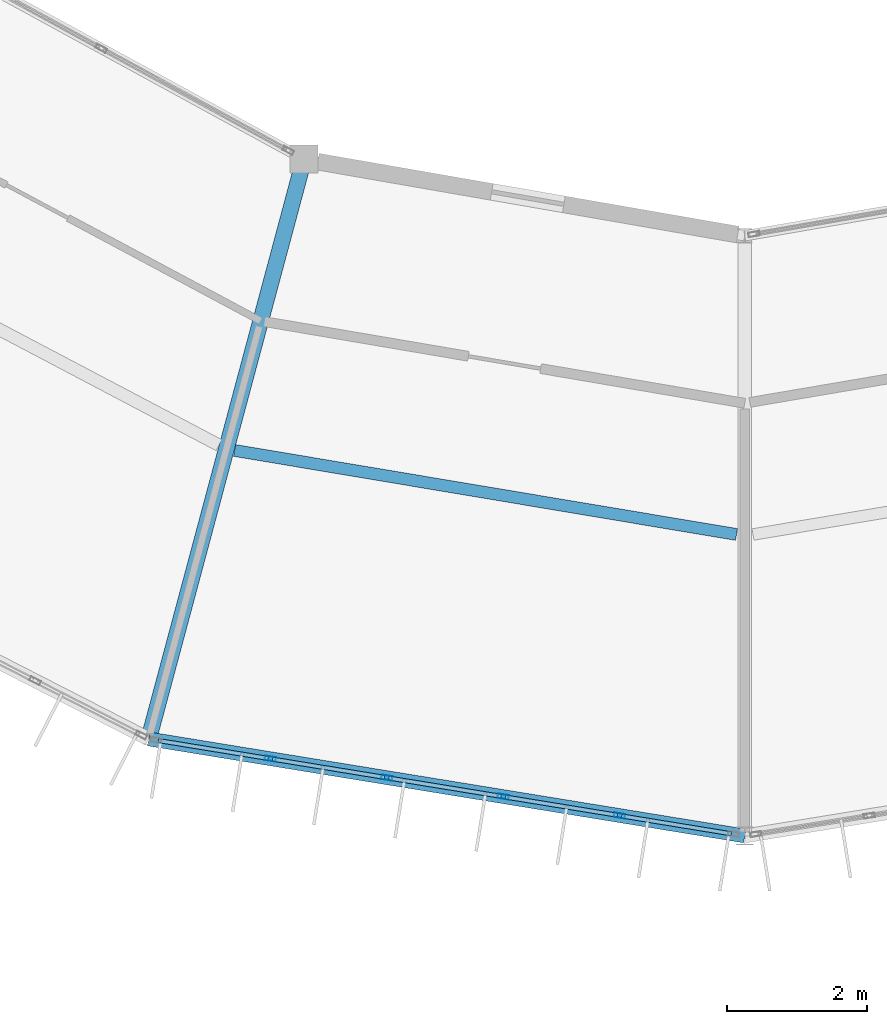
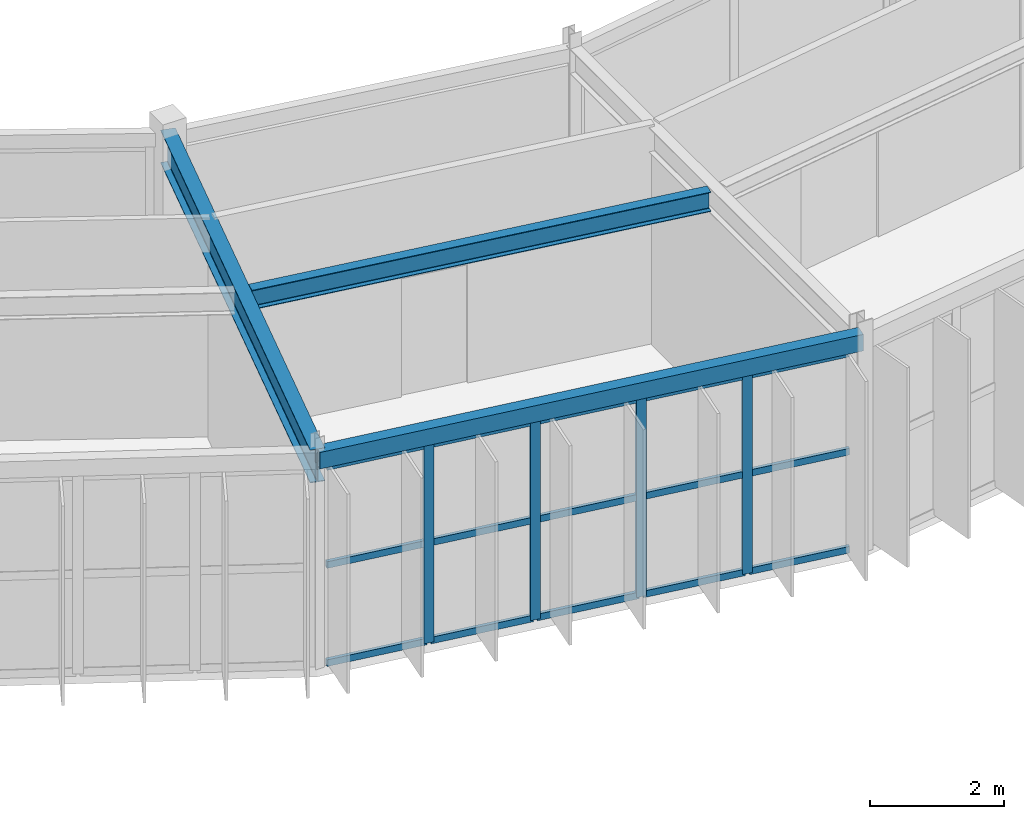
# One storey, part 22 of 134: 19 members, 3 beams, 1 element without a shape of its own.
"""IFC4 building model written with IfcOpenShell, lengths in metres."""

from ifc_helpers import new_model, si_unit, direction, frame, origin, origin_2d, place, context, subcontext, project, spatial, hollow_rectangle, i_section, extrude, material, material_profile, profile_set, type_object, element, aggregate, save


model = new_model("IFC4")

# Units and contexts
model_context = context("Model", 3, precision=1e-05, world=origin(), true_north=direction((0.0, 1.0)))
body_context = subcontext(model_context, "Body", "Model", "MODEL_VIEW")
ifc_project = project(units=[si_unit("LENGTHUNIT", "METRE"), si_unit("AREAUNIT", "SQUARE_METRE"), si_unit("VOLUMEUNIT", "CUBIC_METRE"), si_unit("PLANEANGLEUNIT", "RADIAN"), si_unit("MASSUNIT", "GRAM", prefix="KILO")], contexts=[model_context])

# Site, building, storey
site_placement = place(None, origin())
site = spatial("IfcSite", under=ifc_project, at=site_placement, CompositionType="ELEMENT")
building_placement = place(site_placement, origin())
building = spatial("IfcBuilding", under=site, at=building_placement, Name="Karori Crest Natural Sciences Institute", CompositionType="ELEMENT")
storey_placement = place(building_placement, frame((0.0, 0.0, 21.699951171875)))
storey = spatial("IfcBuildingStorey", under=building, at=storey_placement, Name="L05", CompositionType="ELEMENT", Elevation=21.699951171875)

# Beams
ifc_material_1 = material(Name="Hollow structural steel AS/NZS 1163 Grade C350", Category="steel")
ifc_material_profile_1 = material_profile(ifc_material_1, hollow_rectangle(XDim=0.199951171875, YDim=0.300048828125, WallThickness=0.010009765625, at=origin_2d()), Name="RHS300x200x10")
ifc_profile_set_1 = profile_set([ifc_material_profile_1], Name="Hollow structural steel AS/NZS 1163 Grade C350")
beam_type_1 = type_object("IfcBeamType", Name="BT-15", PredefinedType="SPANDREL", material=ifc_profile_set_1)
beam_1_placement = place(storey_placement, frame((57.85888671875, 10.490234375, 3.7900390625), z_axis=(0.987012055933, -0.160646199591, 0.0), x_axis=(0.160646199591, 0.987012055933, 0.0)))
element("IfcBeam", 1, at=beam_1_placement, inside=storey, type_object=beam_type_1, Name="Beam B-0592", PredefinedType="SPANDREL", context=body_context, shape_type="SweptSolid", body=[
    extrude(hollow_rectangle(XDim=0.199951171875, YDim=0.300048828125, WallThickness=0.010009765625, at=origin_2d()), origin(), (0.0, 0.0, 1.0), 8.6533203125),
])
ifc_material_2 = material(Name="Structural steel AS/NZS 3679.1 Grade 350", Category="steel")
ifc_material_profile_2 = material_profile(ifc_material_2, i_section(OverallWidth=0.22802734375, OverallDepth=0.60205078125, WebThickness=0.010498046875, FlangeThickness=0.014892578125, FilletRadius=0.013916015625, at=origin_2d()), Name="610UB101")
ifc_profile_set_2 = profile_set([ifc_material_profile_2], Name="Structural steel AS/NZS 3679.1 Grade 350")
beam_type_2 = type_object("IfcBeamType", Name="BT-27", PredefinedType="BEAM", material=ifc_profile_set_2)
beam_2_placement = place(storey_placement, frame((60.084716796875, 18.797119140625, 3.63916015625), z_axis=(-0.258819806009, -0.965925622404, 0.0), x_axis=(0.965925622404, -0.258819806009, 0.0)))
element("IfcBeam", 2, at=beam_2_placement, inside=storey, type_object=beam_type_2, Name="Beam B-0594", PredefinedType="BEAM", context=body_context, shape_type="SweptSolid", body=[
    extrude(i_section(OverallWidth=0.22802734375, OverallDepth=0.60205078125, WebThickness=0.010498046875, FlangeThickness=0.014892578125, FilletRadius=0.013916015625, at=origin_2d()), origin(), (0.0, 0.0, 1.0), 8.599853515625),
])
ifc_material_profile_3 = material_profile(ifc_material_2, i_section(OverallWidth=0.1708984375, OverallDepth=0.35595703125, WebThickness=0.00732421875, FlangeThickness=0.011474609375, FilletRadius=0.010986328125, at=origin_2d()), Name="360UB50.7")
ifc_profile_set_3 = profile_set([ifc_material_profile_3], Name="Structural steel AS/NZS 3679.1 Grade 350")
beam_type_3 = type_object("IfcBeamType", Name="BT-30", PredefinedType="BEAM", material=ifc_profile_set_3)
beam_3_placement = place(storey_placement, frame((59.09033203125, 14.623779296875, 3.761962890625), z_axis=(0.986275115433, -0.165110256126, 0.0), x_axis=(0.165110256126, 0.986275115433, 0.0)))
element("IfcBeam", 3, at=beam_3_placement, inside=storey, type_object=beam_type_3, Name="Beam B-0595", PredefinedType="BEAM", context=body_context, shape_type="SweptSolid", body=[
    extrude(i_section(OverallWidth=0.1708984375, OverallDepth=0.35595703125, WebThickness=0.00732421875, FlangeThickness=0.011474609375, FilletRadius=0.010986328125, at=origin_2d()), origin(), (0.0, 0.0, 1.0), 7.291259765625),
])

# Curtain wall, members
ifc_material_3 = material(Name="Anodised architectural aluminium 6063-T6", Category="aluminium")
curtain_wall_type = type_object("IfcCurtainWallType", Name="CWT-08", PredefinedType="NOTDEFINED", material=ifc_material_3)
curtain_wall_placement = place(storey_placement, origin())
curtain_wall = element("IfcCurtainWall", 4, at=curtain_wall_placement, inside=storey, type_object=curtain_wall_type, Name="Curtain wall CW-0198", PredefinedType="NOTDEFINED")
ifc_material_profile_4 = material_profile(ifc_material_3, hollow_rectangle(XDim=0.06494140625, YDim=0.159912109375, WallThickness=0.00390625, at=origin_2d()), Name="CWM160x65x4")
ifc_profile_set_4 = profile_set([ifc_material_profile_4], Name="Anodised architectural aluminium 6063-T6")
member_type_1 = type_object("IfcMemberType", Name="CWM-01", PredefinedType="MULLION", material=ifc_profile_set_4)
member_1_placement = place(storey_placement, frame((64.60595703125, 9.39208984375, 0.0), z_axis=(0.0, 0.0, 1.0), x_axis=(-0.160655493101, -0.987010543275, 0.0)))
member_1 = element("IfcMember", 5, at=member_1_placement, type_object=member_type_1, Name="CW-0198 mullion 2", PredefinedType="MULLION", context=body_context, shape_type="SweptSolid", body=[
    extrude(hollow_rectangle(XDim=0.06494140625, YDim=0.159912109375, WallThickness=0.00390625, at=origin_2d()), origin(), (0.0, 0.0, 1.0), 3.625),
])
member_2_placement = place(storey_placement, frame((62.93798828125, 9.66357421875, 0.0), z_axis=(0.0, 0.0, 1.0), x_axis=(-0.160655493101, -0.987010543275, 0.0)))
member_2 = element("IfcMember", 6, at=member_2_placement, type_object=member_type_1, Name="CW-0198 mullion 3", PredefinedType="MULLION", context=body_context, shape_type="SweptSolid", body=[
    extrude(hollow_rectangle(XDim=0.06494140625, YDim=0.159912109375, WallThickness=0.00390625, at=origin_2d()), origin(), (0.0, 0.0, 1.0), 3.625),
])
member_3_placement = place(storey_placement, frame((61.27001953125, 9.93505859375, 0.0), z_axis=(0.0, 0.0, 1.0), x_axis=(-0.160655493101, -0.987010543275, 0.0)))
member_3 = element("IfcMember", 7, at=member_3_placement, type_object=member_type_1, Name="CW-0198 mullion 4", PredefinedType="MULLION", context=body_context, shape_type="SweptSolid", body=[
    extrude(hollow_rectangle(XDim=0.06494140625, YDim=0.159912109375, WallThickness=0.00390625, at=origin_2d()), origin(), (0.0, 0.0, 1.0), 3.625),
])
member_4_placement = place(storey_placement, frame((59.60205078125, 10.20654296875, 0.0), z_axis=(0.0, 0.0, 1.0), x_axis=(-0.160655493101, -0.987010543275, 0.0)))
member_4 = element("IfcMember", 8, at=member_4_placement, type_object=member_type_1, Name="CW-0198 mullion 5", PredefinedType="MULLION", context=body_context, shape_type="SweptSolid", body=[
    extrude(hollow_rectangle(XDim=0.06494140625, YDim=0.159912109375, WallThickness=0.00390625, at=origin_2d()), origin(), (0.0, 0.0, 1.0), 3.625),
])
ifc_material_profile_5 = material_profile(ifc_material_3, hollow_rectangle(XDim=0.06005859375, YDim=0.1201171875, WallThickness=0.00390625, at=origin_2d()), Name="CWT120x60x4")
ifc_profile_set_5 = profile_set([ifc_material_profile_5], Name="Anodised architectural aluminium 6063-T6")
member_type_2 = type_object("IfcMemberType", Name="CWT-TR1", PredefinedType="USERDEFINED", material=ifc_profile_set_5)
member_5_placement = place(storey_placement, frame((66.2099609375, 9.130859375, 0.030029296875), z_axis=(-0.987008400747, 0.16066865548, 0.0), x_axis=(-0.16066865548, -0.987008400747, 0.0)))
member_5 = element("IfcMember", 9, at=member_5_placement, type_object=member_type_2, Name="CW-0198 transom 1.1", ObjectType="TRANSOM", PredefinedType="USERDEFINED", context=body_context, shape_type="SweptSolid", body=[
    extrude(hollow_rectangle(XDim=0.06005859375, YDim=0.1201171875, WallThickness=0.00390625, at=origin_2d()), origin(), (0.0, 0.0, 1.0), 1.592529296875),
])
member_6_placement = place(storey_placement, frame((66.2099609375, 9.130859375, 1.8125), z_axis=(-0.987008400747, 0.16066865548, 0.0), x_axis=(-0.16066865548, -0.987008400747, 0.0)))
member_6 = element("IfcMember", 10, at=member_6_placement, type_object=member_type_2, Name="CW-0198 transom 1.2", ObjectType="TRANSOM", PredefinedType="USERDEFINED", context=body_context, shape_type="SweptSolid", body=[
    extrude(hollow_rectangle(XDim=0.06005859375, YDim=0.1201171875, WallThickness=0.00390625, at=origin_2d()), origin(), (0.0, 0.0, 1.0), 1.592529296875),
])
member_7_placement = place(storey_placement, frame((66.2099609375, 9.130859375, 3.594970703125), z_axis=(-0.987008400747, 0.16066865548, 0.0), x_axis=(-0.16066865548, -0.987008400747, 0.0)))
member_7 = element("IfcMember", 11, at=member_7_placement, type_object=member_type_2, Name="CW-0198 transom 1.3", ObjectType="TRANSOM", PredefinedType="USERDEFINED", context=body_context, shape_type="SweptSolid", body=[
    extrude(hollow_rectangle(XDim=0.06005859375, YDim=0.1201171875, WallThickness=0.00390625, at=origin_2d()), origin(), (0.0, 0.0, 1.0), 1.592529296875),
])
member_8_placement = place(storey_placement, frame((64.573974609375, 9.397216796875, 0.030029296875), z_axis=(-0.987020010371, 0.1605973198, 0.0), x_axis=(-0.1605973198, -0.987020010371, 0.0)))
member_8 = element("IfcMember", 12, at=member_8_placement, type_object=member_type_2, Name="CW-0198 transom 2.1", ObjectType="TRANSOM", PredefinedType="USERDEFINED", context=body_context, shape_type="SweptSolid", body=[
    extrude(hollow_rectangle(XDim=0.06005859375, YDim=0.1201171875, WallThickness=0.00390625, at=origin_2d()), origin(), (0.0, 0.0, 1.0), 1.625),
])
member_9_placement = place(storey_placement, frame((64.573974609375, 9.397216796875, 1.8125), z_axis=(-0.987020010371, 0.1605973198, 0.0), x_axis=(-0.1605973198, -0.987020010371, 0.0)))
member_9 = element("IfcMember", 13, at=member_9_placement, type_object=member_type_2, Name="CW-0198 transom 2.2", ObjectType="TRANSOM", PredefinedType="USERDEFINED", context=body_context, shape_type="SweptSolid", body=[
    extrude(hollow_rectangle(XDim=0.06005859375, YDim=0.1201171875, WallThickness=0.00390625, at=origin_2d()), origin(), (0.0, 0.0, 1.0), 1.625),
])
member_10_placement = place(storey_placement, frame((64.573974609375, 9.397216796875, 3.594970703125), z_axis=(-0.987020010371, 0.1605973198, 0.0), x_axis=(-0.1605973198, -0.987020010371, 0.0)))
member_10 = element("IfcMember", 14, at=member_10_placement, type_object=member_type_2, Name="CW-0198 transom 2.3", ObjectType="TRANSOM", PredefinedType="USERDEFINED", context=body_context, shape_type="SweptSolid", body=[
    extrude(hollow_rectangle(XDim=0.06005859375, YDim=0.1201171875, WallThickness=0.00390625, at=origin_2d()), origin(), (0.0, 0.0, 1.0), 1.625),
])
member_11_placement = place(storey_placement, frame((62.906005859375, 9.668701171875, 0.030029296875), z_axis=(-0.987020010371, 0.1605973198, 0.0), x_axis=(-0.1605973198, -0.987020010371, 0.0)))
member_11 = element("IfcMember", 15, at=member_11_placement, type_object=member_type_2, Name="CW-0198 transom 3.1", ObjectType="TRANSOM", PredefinedType="USERDEFINED", context=body_context, shape_type="SweptSolid", body=[
    extrude(hollow_rectangle(XDim=0.06005859375, YDim=0.1201171875, WallThickness=0.00390625, at=origin_2d()), origin(), (0.0, 0.0, 1.0), 1.625),
])
member_12_placement = place(storey_placement, frame((62.906005859375, 9.668701171875, 1.8125), z_axis=(-0.987020010371, 0.1605973198, 0.0), x_axis=(-0.1605973198, -0.987020010371, 0.0)))
member_12 = element("IfcMember", 16, at=member_12_placement, type_object=member_type_2, Name="CW-0198 transom 3.2", ObjectType="TRANSOM", PredefinedType="USERDEFINED", context=body_context, shape_type="SweptSolid", body=[
    extrude(hollow_rectangle(XDim=0.06005859375, YDim=0.1201171875, WallThickness=0.00390625, at=origin_2d()), origin(), (0.0, 0.0, 1.0), 1.625),
])
member_13_placement = place(storey_placement, frame((62.906005859375, 9.668701171875, 3.594970703125), z_axis=(-0.987020010371, 0.1605973198, 0.0), x_axis=(-0.1605973198, -0.987020010371, 0.0)))
member_13 = element("IfcMember", 17, at=member_13_placement, type_object=member_type_2, Name="CW-0198 transom 3.3", ObjectType="TRANSOM", PredefinedType="USERDEFINED", context=body_context, shape_type="SweptSolid", body=[
    extrude(hollow_rectangle(XDim=0.06005859375, YDim=0.1201171875, WallThickness=0.00390625, at=origin_2d()), origin(), (0.0, 0.0, 1.0), 1.625),
])
member_14_placement = place(storey_placement, frame((61.238037109375, 9.940185546875, 0.030029296875), z_axis=(-0.987020010371, 0.1605973198, 0.0), x_axis=(-0.1605973198, -0.987020010371, 0.0)))
member_14 = element("IfcMember", 18, at=member_14_placement, type_object=member_type_2, Name="CW-0198 transom 4.1", ObjectType="TRANSOM", PredefinedType="USERDEFINED", context=body_context, shape_type="SweptSolid", body=[
    extrude(hollow_rectangle(XDim=0.06005859375, YDim=0.1201171875, WallThickness=0.00390625, at=origin_2d()), origin(), (0.0, 0.0, 1.0), 1.625),
])
member_15_placement = place(storey_placement, frame((61.238037109375, 9.940185546875, 1.8125), z_axis=(-0.987020010371, 0.1605973198, 0.0), x_axis=(-0.1605973198, -0.987020010371, 0.0)))
member_15 = element("IfcMember", 19, at=member_15_placement, type_object=member_type_2, Name="CW-0198 transom 4.2", ObjectType="TRANSOM", PredefinedType="USERDEFINED", context=body_context, shape_type="SweptSolid", body=[
    extrude(hollow_rectangle(XDim=0.06005859375, YDim=0.1201171875, WallThickness=0.00390625, at=origin_2d()), origin(), (0.0, 0.0, 1.0), 1.625),
])
member_16_placement = place(storey_placement, frame((61.238037109375, 9.940185546875, 3.594970703125), z_axis=(-0.987020010371, 0.1605973198, 0.0), x_axis=(-0.1605973198, -0.987020010371, 0.0)))
member_16 = element("IfcMember", 20, at=member_16_placement, type_object=member_type_2, Name="CW-0198 transom 4.3", ObjectType="TRANSOM", PredefinedType="USERDEFINED", context=body_context, shape_type="SweptSolid", body=[
    extrude(hollow_rectangle(XDim=0.06005859375, YDim=0.1201171875, WallThickness=0.00390625, at=origin_2d()), origin(), (0.0, 0.0, 1.0), 1.625),
])
member_17_placement = place(storey_placement, frame((59.56982421875, 10.211669921875, 0.030029296875), z_axis=(-0.987008400747, 0.16066865548, 0.0), x_axis=(-0.16066865548, -0.987008400747, 0.0)))
member_17 = element("IfcMember", 21, at=member_17_placement, type_object=member_type_2, Name="CW-0198 transom 5.1", ObjectType="TRANSOM", PredefinedType="USERDEFINED", context=body_context, shape_type="SweptSolid", body=[
    extrude(hollow_rectangle(XDim=0.06005859375, YDim=0.1201171875, WallThickness=0.00390625, at=origin_2d()), origin(), (0.0, 0.0, 1.0), 1.592529296875),
])
member_18_placement = place(storey_placement, frame((59.56982421875, 10.211669921875, 1.8125), z_axis=(-0.987008400747, 0.16066865548, 0.0), x_axis=(-0.16066865548, -0.987008400747, 0.0)))
member_18 = element("IfcMember", 22, at=member_18_placement, type_object=member_type_2, Name="CW-0198 transom 5.2", ObjectType="TRANSOM", PredefinedType="USERDEFINED", context=body_context, shape_type="SweptSolid", body=[
    extrude(hollow_rectangle(XDim=0.06005859375, YDim=0.1201171875, WallThickness=0.00390625, at=origin_2d()), origin(), (0.0, 0.0, 1.0), 1.592529296875),
])
member_19_placement = place(storey_placement, frame((59.56982421875, 10.211669921875, 3.594970703125), z_axis=(-0.987008400747, 0.16066865548, 0.0), x_axis=(-0.16066865548, -0.987008400747, 0.0)))
member_19 = element("IfcMember", 23, at=member_19_placement, type_object=member_type_2, Name="CW-0198 transom 5.3", ObjectType="TRANSOM", PredefinedType="USERDEFINED", context=body_context, shape_type="SweptSolid", body=[
    extrude(hollow_rectangle(XDim=0.06005859375, YDim=0.1201171875, WallThickness=0.00390625, at=origin_2d()), origin(), (0.0, 0.0, 1.0), 1.592529296875),
])
aggregate(curtain_wall, [member_1, member_2, member_3, member_4, member_5, member_6, member_7, member_8, member_9, member_10, member_11, member_12, member_13, member_14, member_15, member_16, member_17, member_18, member_19])

save(model, "model.ifc")
